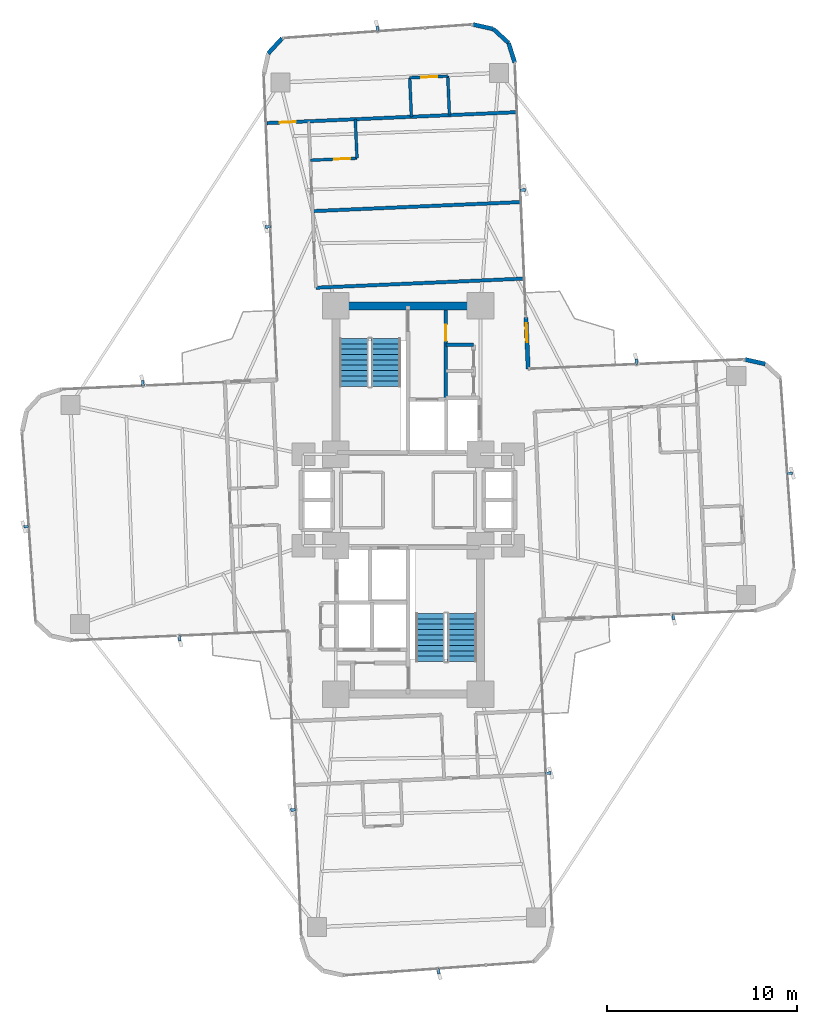
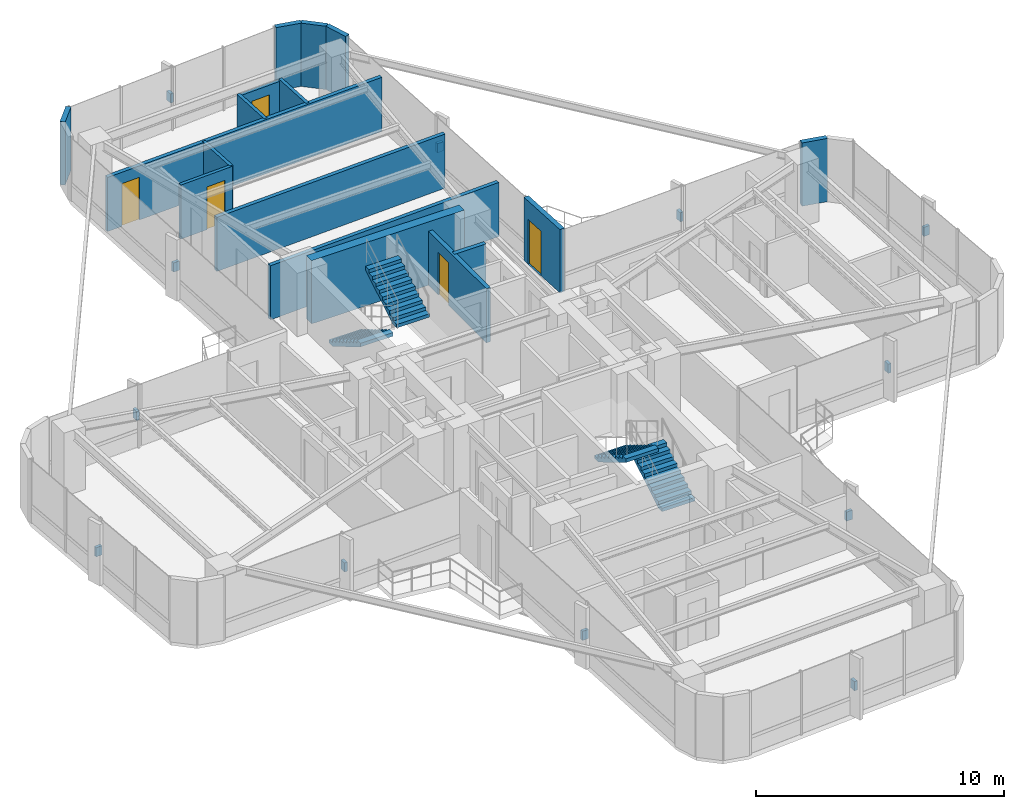
# One storey, part 25 of 26: 17 walls, 12 discrete accessories, 5 doors, 4 stair flights, 5 openings, 2 elements without a shape of their own.
"""IFC4 building model written with IfcOpenShell, lengths in metres."""

import ifcopenshell
import ifcopenshell.guid

model = None  # the IFC model being written
_history = None  # IfcOwnerHistory: only IFC2X3 demands one
_inside = {}  # id of a spatial element -> (the spatial element, [elements in it])
_under = {}  # id of a project, library or spatial element -> (it, [spatial elements below it])
_declared = {}  # id of a project -> (the project, [libraries it declares])
_typed = {}  # id of a type object -> (the type object, [elements of that type])
_made_of = {}  # id of a material, layer set ... -> (it, [elements and type objects made of it])


def new_model(schema):
    """Start an empty IFC model of exactly this schema.

    Asked for "IFC4X3", IfcOpenShell would pick the latest addendum, in which some entities
    have other attributes; the version numbers below select the first issue.
    IFC2X3 requires an IfcOwnerHistory on every rooted entity: one is made here for all.
    """
    global model, _history
    if schema == "IFC4X3":
        model = ifcopenshell.file(schema_version=(4, 3, 0, 0))
    else:
        model = ifcopenshell.file(schema=schema)
    _inside.clear()
    _under.clear()
    _declared.clear()
    _typed.clear()
    _made_of.clear()
    _history = None
    if model.schema == "IFC2X3":
        org = make("IfcOrganization", Name="unknown")
        user = make(
            "IfcPersonAndOrganization",
            ThePerson=make("IfcPerson", FamilyName="unknown"),
            TheOrganization=org,
        )
        app = make(
            "IfcApplication",
            ApplicationDeveloper=org,
            Version="unknown",
            ApplicationFullName="unknown",
            ApplicationIdentifier="unknown",
        )
        _history = make(
            "IfcOwnerHistory",
            OwningUser=user,
            OwningApplication=app,
            ChangeAction="ADDED",
            CreationDate=0,
        )
    return model


def make(cls, **values):
    """One entity of the class cls with the attributes given. An attribute that is None is left unset."""
    return model.create_entity(
        cls, **{name: value for name, value in values.items() if value is not None}
    )


def rooted(cls, **values):
    """An entity with a GlobalId (a new one), such as an element, a storey or a relation."""
    return make(cls, GlobalId=ifcopenshell.guid.new(), OwnerHistory=_history, **values)


def si_unit(unit_type, name, prefix=None):
    """IfcSIUnit, for example si_unit("LENGTHUNIT", "METRE", prefix="MILLI")."""
    return make("IfcSIUnit", UnitType=unit_type, Prefix=prefix, Name=name)


def assignment(units):
    """IfcUnitAssignment: the units of a project."""
    return None if units is None else make("IfcUnitAssignment", Units=units)


def point(xyz):
    """IfcCartesianPoint."""
    return None if xyz is None else make("IfcCartesianPoint", Coordinates=xyz)


def direction(xyz):
    """IfcDirection."""
    return None if xyz is None else make("IfcDirection", DirectionRatios=xyz)


def frame(location, z_axis=None, x_axis=None):
    """IfcAxis2Placement3D, a coordinate frame: its origin and axes. An axis left out is left unset."""
    return make(
        "IfcAxis2Placement3D",
        Location=point(location),
        Axis=direction(z_axis),
        RefDirection=direction(x_axis),
    )


def frame_2d(location, x_axis=None):
    """IfcAxis2Placement2D, a coordinate frame in the plane: its origin and x axis."""
    return make(
        "IfcAxis2Placement2D", Location=point(location), RefDirection=direction(x_axis)
    )


def origin():
    """The frame at (0, 0, 0) with its axes left unset."""
    return frame((0.0, 0.0, 0.0))


def origin_2d():
    """The frame at (0, 0) in the plane with its x axis left unset."""
    return frame_2d((0.0, 0.0))


def place(relative_to, where):
    """IfcLocalPlacement: puts the frame where relative to a parent placement (None: the world)."""
    return make(
        "IfcLocalPlacement", PlacementRelTo=relative_to, RelativePlacement=where
    )


def context(
    kind, dimensions, precision=None, world=None, true_north=None, identifier=None
):
    """IfcGeometricRepresentationContext, for example the 3D "Model" context."""
    return make(
        "IfcGeometricRepresentationContext",
        ContextIdentifier=identifier,
        ContextType=kind,
        CoordinateSpaceDimension=dimensions,
        Precision=precision,
        WorldCoordinateSystem=world,
        TrueNorth=true_north,
    )


def subcontext(parent, identifier, kind, view, scale=None):
    """IfcGeometricRepresentationSubContext, for example "Body" below "Model"."""
    return make(
        "IfcGeometricRepresentationSubContext",
        ContextIdentifier=identifier,
        ContextType=kind,
        ParentContext=parent,
        TargetScale=scale,
        TargetView=view,
    )


def project(units=None, contexts=None):
    """IfcProject with its units and contexts."""
    return rooted(
        "IfcProject",
        Name="project",
        RepresentationContexts=contexts,
        UnitsInContext=assignment(units),
    )


def spatial(cls, under=None, at=None, **own):
    """A site, building, storey or space (cls), placed at a placement, below another one or the project."""
    s = rooted(cls, ObjectPlacement=at, **own)
    if under is not None:
        _under.setdefault(under.id(), (under, []))[1].append(s)
    return s


def polyline(points):
    """IfcPolyline through the points."""
    return make("IfcPolyline", Points=[point(p) for p in points])


def profile(cls, at=None, kind="AREA", **sizes):
    """A parametric profile (cls). Its sizes go by their IFC names, for example OverallWidth=200.0."""
    return make(cls, ProfileType=kind, Position=at, **sizes)


def rectangle(**sizes):
    """IfcRectangleProfileDef."""
    return profile("IfcRectangleProfileDef", **sizes)


def outline(outer, holes=None, kind="AREA"):
    """IfcArbitraryClosedProfileDef: a profile drawn as a closed curve; with holes, ...WithVoids."""
    if holes is None:
        return make("IfcArbitraryClosedProfileDef", ProfileType=kind, OuterCurve=outer)
    return make(
        "IfcArbitraryProfileDefWithVoids",
        ProfileType=kind,
        OuterCurve=outer,
        InnerCurves=holes,
    )


def extrude(swept, where, along, depth):
    """IfcExtrudedAreaSolid: the profile swept, set in the frame where, extruded along a direction by depth."""
    return make(
        "IfcExtrudedAreaSolid",
        SweptArea=swept,
        Position=where,
        ExtrudedDirection=direction(along),
        Depth=depth,
    )


def shape(context_of_items, identifier, shape_type, items):
    """IfcShapeRepresentation: the items that make up one representation, for example the "Body"."""
    return make(
        "IfcShapeRepresentation",
        ContextOfItems=context_of_items,
        RepresentationIdentifier=identifier,
        RepresentationType=shape_type,
        Items=items,
    )


def source(mapping_origin, context_of_items, identifier, shape_type, items):
    """IfcRepresentationMap: a shape defined once, which mapped items show again and again."""
    return make(
        "IfcRepresentationMap",
        MappingOrigin=mapping_origin,
        MappedRepresentation=shape(context_of_items, identifier, shape_type, items),
    )


def transform(
    local_origin,
    x_axis=None,
    y_axis=None,
    z_axis=None,
    scale=None,
    scale2=None,
    scale3=None,
    uniform=True,
):
    """IfcCartesianTransformationOperator3D, or its non-uniform kind. x_axis, y_axis, z_axis: its Axis1, 2, 3."""
    if uniform:
        return make(
            "IfcCartesianTransformationOperator3D",
            Axis1=direction(x_axis),
            Axis2=direction(y_axis),
            LocalOrigin=point(local_origin),
            Scale=scale,
            Axis3=direction(z_axis),
        )
    return make(
        "IfcCartesianTransformationOperator3DnonUniform",
        Axis1=direction(x_axis),
        Axis2=direction(y_axis),
        LocalOrigin=point(local_origin),
        Scale=scale,
        Axis3=direction(z_axis),
        Scale2=scale2,
        Scale3=scale3,
    )


def mapped(mapping_source, mapping_target):
    """IfcMappedItem: shows the shape of a source again, moved by a transform."""
    return make(
        "IfcMappedItem", MappingSource=mapping_source, MappingTarget=mapping_target
    )


def material(Name=None, Category=None):
    """IfcMaterial."""
    return make("IfcMaterial", Name=Name, Category=Category)


def layer(
    of_material, thickness, ventilated=None, Name=None, Category=None, Priority=None
):
    """IfcMaterialLayer: one layer of a wall or slab, of a material (None: an air gap)."""
    return make(
        "IfcMaterialLayer",
        Material=of_material,
        LayerThickness=thickness,
        IsVentilated=ventilated,
        Name=Name,
        Category=Category,
        Priority=Priority,
    )


def layer_set(layers, Name=None):
    """IfcMaterialLayerSet."""
    return make("IfcMaterialLayerSet", MaterialLayers=layers, LayerSetName=Name)


def made_of(thing, what):
    """Note that an element or type object is made of a material, layer set ...; save() writes the relation."""
    if what is not None:
        _made_of.setdefault(what.id(), (what, []))[1].append(thing)
    return thing


def type_object(cls, material=None, **own):
    """A type object (cls), such as IfcWallType, which elements share."""
    return made_of(rooted(cls, **own), material)


def element(
    cls,
    number,
    at=None,
    inside=None,
    cuts=None,
    type_object=None,
    material=None,
    context=None,
    identifier="Body",
    shape_type=None,
    held_by="IfcProductDefinitionShape",
    body=None,
    shapes=None,
    **own,
):
    """One element of the class cls, such as IfcWall. Its Tag is "e" and its number.

    at: its placement. inside: the storey or other place that contains it. cuts: it is an
    opening in that element (IfcRelVoidsElement). A single representation is given by context,
    identifier, shape_type and body (its items); several are given by shapes. held_by: the class
    of the entity that holds the representations. save() writes the other relations.
    """
    e = rooted(cls, Tag="e%d" % number, ObjectPlacement=at, **own)
    if body is not None:
        shapes = [shape(context, identifier, shape_type, body)]
    if shapes is not None:
        e.Representation = make(held_by, Representations=shapes)
    if inside is not None:
        _inside.setdefault(inside.id(), (inside, []))[1].append(e)
    if cuts is not None:
        rooted(
            "IfcRelVoidsElement", RelatingBuildingElement=cuts, RelatedOpeningElement=e
        )
    if type_object is not None:
        _typed.setdefault(type_object.id(), (type_object, []))[1].append(e)
    return made_of(e, material)


def fill(opening, filler):
    """IfcRelFillsElement: the door or window that sits in an opening."""
    return rooted(
        "IfcRelFillsElement",
        RelatingOpeningElement=opening,
        RelatedBuildingElement=filler,
    )


def aggregate(whole, parts):
    """IfcRelAggregates: a whole, such as a stair, and the parts it consists of."""
    return rooted("IfcRelAggregates", RelatingObject=whole, RelatedObjects=parts)


def save(model, path):
    """Write the relations noted so far, then the file.

    IfcRelAggregates (storeys below a building ...), IfcRelContainedInSpatialStructure (elements
    in a storey), IfcRelDefinesByType, IfcRelAssociatesMaterial and IfcRelDeclares: one each for
    every whole, place, type object, material and project.
    """
    for whole, parts in _under.values():
        aggregate(whole, parts)
    for where, things in _inside.values():
        rooted(
            "IfcRelContainedInSpatialStructure",
            RelatedElements=things,
            RelatingStructure=where,
        )
    for kind, things in _typed.values():
        rooted("IfcRelDefinesByType", RelatedObjects=things, RelatingType=kind)
    for what, things in _made_of.values():
        rooted("IfcRelAssociatesMaterial", RelatedObjects=things, RelatingMaterial=what)
    for by, libraries in _declared.values():
        rooted("IfcRelDeclares", RelatingContext=by, RelatedDefinitions=libraries)
    model.write(path)


model = new_model("IFC4")

# Units and contexts
model_context = context("Model", 3, precision=1e-05, world=origin(), true_north=direction((0.0, 1.0)))
body_context = subcontext(model_context, "Body", "Model", "MODEL_VIEW")
ifc_project = project(units=[si_unit("LENGTHUNIT", "METRE"), si_unit("AREAUNIT", "SQUARE_METRE"), si_unit("VOLUMEUNIT", "CUBIC_METRE"), si_unit("PLANEANGLEUNIT", "RADIAN"), si_unit("MASSUNIT", "GRAM", prefix="KILO")], contexts=[model_context])

# Site, building, storey
site_placement = place(None, origin())
site = spatial("IfcSite", under=ifc_project, at=site_placement, CompositionType="ELEMENT")
building_placement = place(site_placement, origin())
building = spatial("IfcBuilding", under=site, at=building_placement, Name="Sahyath Konkavel Grand Hotel", CompositionType="ELEMENT")
storey_placement = place(building_placement, frame((0.0, 0.0, 118.14990234375)))
storey = spatial("IfcBuildingStorey", under=building, at=storey_placement, Name="L32", CompositionType="ELEMENT", Elevation=118.14990234375)

# Walls
ifc_material_1 = material(Name="Concrete C50/60", Category="concrete")
ifc_layer_1 = layer(ifc_material_1, 0.419921875)
ifc_layer_set_1 = layer_set([ifc_layer_1], Name="Concrete C50/60")
wall_type_1 = type_object("IfcWallType", Name="CWALL-420", PredefinedType="SHEAR", material=ifc_layer_set_1)
wall_1_placement = place(storey_placement, frame((-3.550048828125, 10.199951171875, 0.0), z_axis=(0.0, 0.0, 1.0), x_axis=(1.0, 0.0, 0.0)))
element("IfcWall", 1, at=wall_1_placement, inside=storey, type_object=wall_type_1, Name="L32 North Core Shear Wall N", PredefinedType="SHEAR", context=body_context, shape_type="SweptSolid", body=[
    extrude(rectangle(XDim=7.10009765625, YDim=0.419921875, at=frame_2d((3.550048828125, 0.0))), origin(), (0.0, 0.0, 1.0), 3.110107421875),
])
ifc_material_2 = material(Name="Warm Buff Sandstone Insulated Concrete C40/50", Category="masonry")
ifc_layer_2 = layer(ifc_material_2, 0.219970703125)
ifc_layer_set_2 = layer_set([ifc_layer_2], Name="Warm Buff Sandstone Insulated Concrete C40/50")
wall_type_2 = type_object("IfcWallType", Name="WLL-BALC-THRESH", PredefinedType="STANDARD", material=ifc_layer_set_2)
wall_2_placement = place(storey_placement, frame((18.75634765625, 7.1435546875, 0.0), z_axis=(0.0, 0.0, 1.0), x_axis=(-0.976282085775, 0.216502399514, 0.0)))
element("IfcWall", 2, at=wall_2_placement, inside=storey, type_object=wall_type_2, Name="L32 Rounded Corner Sandstone Pier 6", PredefinedType="STANDARD", context=body_context, shape_type="SweptSolid", body=[
    extrude(rectangle(XDim=1.087158203125, YDim=0.219970703125, at=frame_2d((0.54345703125, 0.0))), origin(), (0.0, 0.0, 1.0), 3.110107421875),
])

# Wall, opening, door
wall_3_placement = place(storey_placement, frame((6.305908203125, 6.881591796875, 0.0), z_axis=(0.0, 0.0, 1.0), x_axis=(-0.043672655174, 0.999045894436, 0.0)))
wall_3 = element("IfcWall", 3, at=wall_3_placement, inside=storey, type_object=wall_type_2, Name="L32 Winter-Garden Threshold Wall 8", PredefinedType="STANDARD", context=body_context, shape_type="SweptSolid", body=[
    extrude(rectangle(XDim=2.7001953125, YDim=0.219970703125, at=frame_2d((1.35009765625, 0.0))), origin(), (0.0, 0.0, 1.0), 3.110107421875),
])
opening_1_placement = place(wall_3_placement, frame((1.39990234375, 0.0, 0.0)))
opening_1 = element("IfcOpeningElement", 4, at=opening_1_placement, cuts=wall_3, Name="Opening D-TR1", PredefinedType="OPENING", context=body_context, shape_type="SweptSolid", body=[
    extrude(rectangle(XDim=1.0, YDim=2.199951171875, at=frame_2d((0.5, 1.10009765625))), frame((0.0, 0.1201171875, 0.0), z_axis=(0.0, -1.0, 0.0), x_axis=(1.0, 0.0, 0.0)), (0.0, 0.0, 1.0), 0.239990234375),
])
ifc_material_3 = material(Name="Anodised Bronze Aluminium & Low-E Glazing", Category="aluminium")
door_type_1 = type_object("IfcDoorType", Name="DR-TERRACE-1000", OperationType="NOTDEFINED", PredefinedType="DOOR", material=ifc_material_3)
shared_shape_1 = source(origin(), body_context, "Body", "SweptSolid", [
    extrude(rectangle(XDim=1.0, YDim=0.050048828125, at=origin_2d()), origin(), (0.0, 0.0, 1.0), 2.199951171875),
])
door_1_placement = place(opening_1_placement, frame((0.5, 0.0, 0.0)))
door_1 = element("IfcDoor", 5, at=door_1_placement, inside=storey, type_object=door_type_1, Name="L32 Winter-Garden Terrace Door 8", OperationType="SINGLE_SWING_LEFT", OverallHeight=2.199951171875, OverallWidth=1.0, PredefinedType="DOOR", context=body_context, shape_type="MappedRepresentation", body=[
    mapped(shared_shape_1, transform((0.0, 0.0, 0.0), scale=1.0)),
])
fill(opening_1, door_1)

# Walls
wall_4_placement = place(storey_placement, frame((5.603515625, 22.96630859375, 0.0), z_axis=(0.0, 0.0, 1.0), x_axis=(-0.300755105707, 0.953701403161, 0.0)))
element("IfcWall", 6, at=wall_4_placement, inside=storey, type_object=wall_type_2, Name="L32 Rounded Corner Sandstone Pier 9", PredefinedType="STANDARD", context=body_context, shape_type="SweptSolid", body=[
    extrude(rectangle(XDim=1.0869140625, YDim=0.219970703125, at=frame_2d((0.54345703125, 0.0))), origin(), (0.0, 0.0, 1.0), 3.110107421875),
])
wall_5_placement = place(storey_placement, frame((5.276611328125, 24.0029296875, 0.0), z_axis=(0.0, 0.0, 1.0), x_axis=(-0.737312600672, 0.675551721847, 0.0)))
element("IfcWall", 7, at=wall_5_placement, inside=storey, type_object=wall_type_2, Name="L32 Rounded Corner Sandstone Pier 10", PredefinedType="STANDARD", context=body_context, shape_type="SweptSolid", body=[
    extrude(rectangle(XDim=1.087158203125, YDim=0.219970703125, at=frame_2d((0.54345703125, 0.0))), origin(), (0.0, 0.0, 1.0), 3.110107421875),
])
for number, where, z_axis, x_axis, name in (
    (8, (4.47509765625, 24.7373046875, 0.0), (0.0, 0.0, 1.0), (-0.976271555154, 0.216549880158, 0.0), "L32 Rounded Corner Sandstone Pier 11"),
    (9, (-6.6142578125, 24.253173828125, 0.0), (0.0, 0.0, 1.0), (-0.675663596772, -0.737210081318, 0.0), "L32 Rounded Corner Sandstone Pier 13"),
):
    element("IfcWall", number, at=place(storey_placement, frame(where, z_axis=z_axis, x_axis=x_axis)), inside=storey, type_object=wall_type_2, Name=name, PredefinedType="STANDARD", context=body_context, shape_type="SweptSolid", body=[
        extrude(rectangle(XDim=1.0869140625, YDim=0.219970703125, at=frame_2d((0.54345703125, 0.0))), origin(), (0.0, 0.0, 1.0), 3.110107421875),
    ])

# Wall, opening, door
ifc_material_4 = material(Name="Concrete C40/50", Category="concrete")
ifc_layer_3 = layer(ifc_material_4, 0.199951171875)
ifc_layer_set_3 = layer_set([ifc_layer_3], Name="Concrete C40/50")
wall_type_3 = type_object("IfcWallType", Name="WLL-CORE-200", PredefinedType="SOLIDWALL", material=ifc_layer_set_3)
wall_6_placement = place(storey_placement, frame((1.97998046875, 5.320068359375, 0.0), z_axis=(0.0, 0.0, 1.0), x_axis=(0.0, 1.0, 0.0)))
wall_6 = element("IfcWall", 10, at=wall_6_placement, inside=storey, type_object=wall_type_3, Name="L32 North Firefighting Lobby Wall E", PredefinedType="SOLIDWALL", context=body_context, shape_type="SweptSolid", body=[
    extrude(rectangle(XDim=4.659912109375, YDim=0.199951171875, at=frame_2d((2.330078125, 0.0))), origin(), (0.0, 0.0, 1.0), 2.66015625),
])
opening_2_placement = place(wall_6_placement, frame((3.0400390625, 0.0, 0.0)))
opening_2 = element("IfcOpeningElement", 11, at=opening_2_placement, cuts=wall_6, Name="Opening D-F12D", PredefinedType="OPENING", context=body_context, shape_type="SweptSolid", body=[
    extrude(rectangle(XDim=0.85009765625, YDim=2.10009765625, at=frame_2d((0.425048828125, 1.050048828125))), frame((0.0, 0.10986328125, 0.0), z_axis=(0.0, -1.0, 0.0), x_axis=(1.0, 0.0, 0.0)), (0.0, 0.0, 1.0), 0.219970703125),
])
ifc_material_5 = material(Name="Steel E350 Core Fire Door", Category="steel")
door_type_2 = type_object("IfcDoorType", Name="DR-FD120-850", OperationType="NOTDEFINED", PredefinedType="DOOR", material=ifc_material_5)
shared_shape_2 = source(origin(), body_context, "Body", "SweptSolid", [
    extrude(rectangle(XDim=0.85009765625, YDim=0.050048828125, at=origin_2d()), origin(), (0.0, 0.0, 1.0), 2.10009765625),
])
door_2_placement = place(opening_2_placement, frame((0.425048828125, 0.0, 0.0)))
door_2 = element("IfcDoor", 12, at=door_2_placement, inside=storey, type_object=door_type_2, Name="L32 North Firefighting Lobby Door", OperationType="SINGLE_SWING_RIGHT", OverallHeight=2.10009765625, OverallWidth=0.85009765625, PredefinedType="DOOR", context=body_context, shape_type="MappedRepresentation", body=[
    mapped(shared_shape_2, transform((0.0, 0.0, 0.0), scale=1.0)),
])
fill(opening_2, door_2)

# Walls
wall_7_placement = place(storey_placement, frame((1.97998046875, 8.14990234375, 0.0), z_axis=(0.0, 0.0, 1.0), x_axis=(1.0, 0.0, 0.0)))
element("IfcWall", 13, at=wall_7_placement, inside=storey, type_object=wall_type_3, Name="L32 Partition NC-REC-N", PredefinedType="SOLIDWALL", context=body_context, shape_type="SweptSolid", body=[
    extrude(rectangle(XDim=1.4599609375, YDim=0.199951171875, at=frame_2d((0.72998046875, 0.0))), origin(), (0.0, 0.0, 1.0), 2.66015625),
])
ifc_material_6 = material(Name="Twin-Stud Acoustic Gypsum Plasterboard Partition")
ifc_layer_4 = layer(ifc_material_6, 0.179931640625)
ifc_layer_set_4 = layer_set([ifc_layer_4], Name="Twin-Stud Acoustic Gypsum Plasterboard Partition")
wall_type_4 = type_object("IfcWallType", Name="WLL-DEMISE-180", PredefinedType="PARTITIONING", material=ifc_layer_set_4)
for number, where, z_axis, x_axis, name in (
    (14, (6.048583984375, 11.625, 0.0), (0.0, 0.0, 1.0), (-0.999047644663, -0.043632598969, 0.0), "L32 Partition N-G5I"),
    (15, (-5.0166015625, 15.170654296875, 0.0), (0.0, 0.0, 1.0), (0.999048663393, 0.043609267053, 0.0), "L32 Partition N-ND1-DEM"),
):
    element("IfcWall", number, at=place(storey_placement, frame(where, z_axis=z_axis, x_axis=x_axis)), inside=storey, type_object=wall_type_4, Name=name, PredefinedType="PARTITIONING", context=body_context, shape_type="SweptSolid", body=[
        extrude(rectangle(XDim=10.89990234375, YDim=0.179931640625, at=frame_2d((5.449951171875, 0.0))), origin(), (0.0, 0.0, 1.0), 2.66015625),
    ])

# Wall, opening, door
wall_8_placement = place(storey_placement, frame((5.6669921875, 20.36669921875, 0.0), z_axis=(0.0, 0.0, 1.0), x_axis=(-0.999047806124, -0.043628901879, 0.0)))
wall_8 = element("IfcWall", 16, at=wall_8_placement, inside=storey, type_object=wall_type_4, Name="L32 Partition N-NTIP-END", PredefinedType="PARTITIONING", context=body_context, shape_type="SweptSolid", body=[
    extrude(rectangle(XDim=13.099853515625, YDim=0.179931640625, at=frame_2d((6.5498046875, 0.0))), origin(), (0.0, 0.0, 1.0), 2.66015625),
])
opening_3_placement = place(wall_8_placement, frame((11.574951171875, 0.0, 0.0)))
opening_3 = element("IfcOpeningElement", 17, at=opening_3_placement, cuts=wall_8, Name="Opening D-F06D", PredefinedType="OPENING", context=body_context, shape_type="SweptSolid", body=[
    extrude(rectangle(XDim=0.85009765625, YDim=2.10009765625, at=frame_2d((0.425048828125, 1.050048828125))), frame((0.0, 0.10009765625, 0.0), z_axis=(0.0, -1.0, 0.0), x_axis=(1.0, 0.0, 0.0)), (0.0, 0.0, 1.0), 0.199951171875),
])
ifc_material_7 = material(Name="Fire-Rated Shaft Access Door")
door_type_3 = type_object("IfcDoorType", Name="DR-FD60-850", OperationType="NOTDEFINED", PredefinedType="DOOR", material=ifc_material_7)
door_3_placement = place(opening_3_placement, frame((0.425048828125, 0.0, 0.0)))
door_3 = element("IfcDoor", 18, at=door_3_placement, inside=storey, type_object=door_type_3, Name="L32 Door N-NTIP-ED", OperationType="SINGLE_SWING_RIGHT", OverallHeight=2.10009765625, OverallWidth=0.85009765625, PredefinedType="DOOR", context=body_context, shape_type="MappedRepresentation", body=[
    mapped(shared_shape_2, transform((0.0, 0.0, 0.0), scale=1.0)),
])
fill(opening_3, door_3)

ifc_material_8 = material(Name="Fire-Rated Gypsum Plasterboard Partition")
ifc_layer_5 = layer(ifc_material_8, 0.14990234375)
ifc_layer_set_5 = layer_set([ifc_layer_5], Name="Fire-Rated Gypsum Plasterboard Partition")
wall_type_5 = type_object("IfcWallType", Name="WLL-PART-150", PredefinedType="PARTITIONING", material=ifc_layer_set_5)
wall_9_placement = place(storey_placement, frame((-5.13330078125, 17.843017578125, 0.0), z_axis=(0.0, 0.0, 1.0), x_axis=(0.999047112283, 0.043644787072, 0.0)))
wall_9 = element("IfcWall", 19, at=wall_9_placement, inside=storey, type_object=wall_type_5, Name="L32 Partition N-ND2-BS", PredefinedType="PARTITIONING", context=body_context, shape_type="SweptSolid", body=[
    extrude(rectangle(XDim=2.4501953125, YDim=0.14990234375, at=frame_2d((1.22509765625, 0.0))), origin(), (0.0, 0.0, 1.0), 2.66015625),
])
opening_4_placement = place(wall_9_placement, frame((1.25, 0.0, 0.0)))
opening_4 = element("IfcOpeningElement", 20, at=opening_4_placement, cuts=wall_9, Name="Opening D-BT85", PredefinedType="OPENING", context=body_context, shape_type="SweptSolid", body=[
    extrude(rectangle(XDim=0.85009765625, YDim=2.10009765625, at=frame_2d((0.425048828125, 1.050048828125))), frame((0.0, 0.0849609375, 0.0), z_axis=(0.0, -1.0, 0.0), x_axis=(1.0, 0.0, 0.0)), (0.0, 0.0, 1.0), 0.169921875),
])
ifc_material_9 = material(Name="Moisture-Resistant Teak Bathroom Door")
door_type_4 = type_object("IfcDoorType", Name="DR-BATH-850", OperationType="NOTDEFINED", PredefinedType="DOOR", material=ifc_material_9)
door_4_placement = place(opening_4_placement, frame((0.425048828125, 0.0, 0.0)))
door_4 = element("IfcDoor", 21, at=door_4_placement, inside=storey, type_object=door_type_4, Name="L32 Door N-ND2-BD", OperationType="SINGLE_SWING_LEFT", OverallHeight=2.10009765625, OverallWidth=0.85009765625, PredefinedType="DOOR", context=body_context, shape_type="MappedRepresentation", body=[
    mapped(shared_shape_2, transform((0.0, 0.0, 0.0), scale=1.0)),
])
fill(opening_4, door_4)

# Walls
for number, where, z_axis, x_axis, name in (
    (22, (-2.685546875, 17.949951171875, 0.0), (0.0, 0.0, 1.0), (-0.043587097972, 0.999049630844, 0.0), "L32 Partition N-ND2-BF"),
    (23, (0.17236328125, 20.126708984375, 0.0), (0.0, 0.0, 1.0), (-0.043705961225, 0.999044437927, 0.0), "L32 Partition N-NTIP-BN"),
    (24, (2.17041015625, 20.2138671875, 0.0), (0.0, 0.0, 1.0), (-0.043705961225, 0.999044437927, 0.0), "L32 Partition N-NTIP-BS"),
):
    element("IfcWall", number, at=place(storey_placement, frame(where, z_axis=z_axis, x_axis=x_axis)), inside=storey, type_object=wall_type_5, Name=name, PredefinedType="PARTITIONING", context=body_context, shape_type="SweptSolid", body=[
        extrude(rectangle(XDim=2.050048828125, YDim=0.14990234375, at=frame_2d((1.02490234375, 0.0))), origin(), (0.0, 0.0, 1.0), 2.66015625),
    ])

# Wall, opening, door
wall_10_placement = place(storey_placement, frame((2.080810546875, 22.261962890625, 0.0), z_axis=(0.0, 0.0, 1.0), x_axis=(-0.999049929275, -0.043580257179, 0.0)))
wall_10 = element("IfcWall", 25, at=wall_10_placement, inside=storey, type_object=wall_type_5, Name="L32 Partition N-NTIP-BE", PredefinedType="PARTITIONING", context=body_context, shape_type="SweptSolid", body=[
    extrude(rectangle(XDim=2.0, YDim=0.14990234375, at=frame_2d((1.0, 0.0))), origin(), (0.0, 0.0, 1.0), 2.580078125),
])
opening_5_placement = place(wall_10_placement, frame((0.550048828125, 0.0, 0.0)))
opening_5 = element("IfcOpeningElement", 26, at=opening_5_placement, cuts=wall_10, Name="Opening D-BT85", PredefinedType="OPENING", context=body_context, shape_type="SweptSolid", body=[
    extrude(rectangle(XDim=0.85009765625, YDim=2.10009765625, at=frame_2d((0.425048828125, 1.050048828125))), frame((0.0, 0.0849609375, 0.0), z_axis=(0.0, -1.0, 0.0), x_axis=(1.0, 0.0, 0.0)), (0.0, 0.0, 1.0), 0.169921875),
])
door_5_placement = place(opening_5_placement, frame((0.425048828125, 0.0, 0.0)))
door_5 = element("IfcDoor", 27, at=door_5_placement, inside=storey, type_object=door_type_4, Name="L32 Door N-NTIP-BD", OperationType="SINGLE_SWING_LEFT", OverallHeight=2.10009765625, OverallWidth=0.85009765625, PredefinedType="DOOR", context=body_context, shape_type="MappedRepresentation", body=[
    mapped(shared_shape_2, transform((0.0, 0.0, 0.0), scale=1.0)),
])
fill(opening_5, door_5)

# Stair, stair flights
stair_type = type_object("IfcStairType", Name="STR-ST16-335", PredefinedType="HALF_TURN_STAIR", material=ifc_material_4)
stair_1_placement = place(storey_placement, origin())
stair_1 = element("IfcStair", 28, at=stair_1_placement, inside=storey, type_object=stair_type, Name="L32 North Core Smokeproof Exit Stair ST-1", PredefinedType="HALF_TURN_STAIR")
stair_flight_type = type_object("IfcStairFlightType", Name="STF-ST16-335", PredefinedType="STRAIGHT", material=ifc_material_4)
stair_flight_1_placement = place(storey_placement, frame((-2.840087890625, 8.47998046875, 0.0), z_axis=(0.0, 0.0, 1.0), x_axis=(0.0, -1.0, 0.0)))
stair_flight_1 = element("IfcStairFlight", 29, at=stair_flight_1_placement, type_object=stair_flight_type, Name="ST-1 flight 1", NumberOfRisers=10, NumberOfTreads=9, PredefinedType="STRAIGHT", RiserHeight=0.1675, TreadLength=0.28, context=body_context, shape_type="SweptSolid", body=[
    extrude(outline(polyline([(0.0, 0.0), (0.0, 0.16748046875), (0.280029296875, 0.16748046875), (0.280029296875, 0.3349609375), (0.56005859375, 0.3349609375), (0.56005859375, 0.50244140625), (0.840087890625, 0.50244140625), (0.840087890625, 0.669921875), (1.1201171875, 0.669921875), (1.1201171875, 0.83740234375), (1.39990234375, 0.83740234375), (1.39990234375, 1.0048828125), (1.679931640625, 1.0048828125), (1.679931640625, 1.172607421875), (1.9599609375, 1.172607421875), (1.9599609375, 1.340087890625), (2.239990234375, 1.340087890625), (2.239990234375, 1.507568359375), (2.52001953125, 1.507568359375), (2.52001953125, 1.675048828125), (2.52001953125, 1.332763671875), (0.2919921875, 0.0), (0.0, 0.0)])), frame((0.0, 0.760009765625, 0.0), z_axis=(0.0, -1.0, 0.0), x_axis=(1.0, 0.0, 0.0)), (0.0, 0.0, 1.0), 1.52001953125),
])
stair_flight_2_placement = place(storey_placement, frame((-1.159912109375, 5.9599609375, 1.675048828125), z_axis=(0.0, 0.0, 1.0), x_axis=(0.0, 1.0, 0.0)))
stair_flight_2 = element("IfcStairFlight", 30, at=stair_flight_2_placement, type_object=stair_flight_type, Name="ST-1 flight 2", NumberOfRisers=10, NumberOfTreads=9, PredefinedType="STRAIGHT", RiserHeight=0.1675, TreadLength=0.28, context=body_context, shape_type="SweptSolid", body=[
    extrude(outline(polyline([(0.0, 0.0), (0.0, 0.16748046875), (0.280029296875, 0.16748046875), (0.280029296875, 0.3349609375), (0.56005859375, 0.3349609375), (0.56005859375, 0.50244140625), (0.840087890625, 0.50244140625), (0.840087890625, 0.669921875), (1.1201171875, 0.669921875), (1.1201171875, 0.83740234375), (1.39990234375, 0.83740234375), (1.39990234375, 1.0048828125), (1.679931640625, 1.0048828125), (1.679931640625, 1.172607421875), (1.9599609375, 1.172607421875), (1.9599609375, 1.340087890625), (2.239990234375, 1.340087890625), (2.239990234375, 1.507568359375), (2.52001953125, 1.507568359375), (2.52001953125, 1.675048828125), (2.52001953125, 1.332763671875), (0.2919921875, 0.0), (0.0, 0.0)])), frame((0.0, 0.760009765625, 0.0), z_axis=(0.0, -1.0, 0.0), x_axis=(1.0, 0.0, 0.0)), (0.0, 0.0, 1.0), 1.52001953125),
])
aggregate(stair_1, [stair_flight_1, stair_flight_2])

stair_2_placement = place(storey_placement, origin())
stair_2 = element("IfcStair", 31, at=stair_2_placement, inside=storey, type_object=stair_type, Name="L32 South Core Smokeproof Exit Stair ST-2", PredefinedType="HALF_TURN_STAIR")
stair_flight_3_placement = place(storey_placement, frame((2.840087890625, -8.47998046875, 0.0), z_axis=(0.0, 0.0, 1.0), x_axis=(0.0, 1.0, 0.0)))
stair_flight_3 = element("IfcStairFlight", 32, at=stair_flight_3_placement, type_object=stair_flight_type, Name="ST-2 flight 1", NumberOfRisers=10, NumberOfTreads=9, PredefinedType="STRAIGHT", RiserHeight=0.1675, TreadLength=0.28, context=body_context, shape_type="SweptSolid", body=[
    extrude(outline(polyline([(0.0, 0.0), (0.0, 0.16748046875), (0.280029296875, 0.16748046875), (0.280029296875, 0.3349609375), (0.56005859375, 0.3349609375), (0.56005859375, 0.50244140625), (0.840087890625, 0.50244140625), (0.840087890625, 0.669921875), (1.1201171875, 0.669921875), (1.1201171875, 0.83740234375), (1.39990234375, 0.83740234375), (1.39990234375, 1.0048828125), (1.679931640625, 1.0048828125), (1.679931640625, 1.172607421875), (1.9599609375, 1.172607421875), (1.9599609375, 1.340087890625), (2.239990234375, 1.340087890625), (2.239990234375, 1.507568359375), (2.52001953125, 1.507568359375), (2.52001953125, 1.675048828125), (2.52001953125, 1.332763671875), (0.2919921875, 0.0), (0.0, 0.0)])), frame((0.0, 0.760009765625, 0.0), z_axis=(0.0, -1.0, 0.0), x_axis=(1.0, 0.0, 0.0)), (0.0, 0.0, 1.0), 1.52001953125),
])
stair_flight_4_placement = place(storey_placement, frame((1.159912109375, -5.9599609375, 1.675048828125), z_axis=(0.0, 0.0, 1.0), x_axis=(0.0, -1.0, 0.0)))
stair_flight_4 = element("IfcStairFlight", 33, at=stair_flight_4_placement, type_object=stair_flight_type, Name="ST-2 flight 2", NumberOfRisers=10, NumberOfTreads=9, PredefinedType="STRAIGHT", RiserHeight=0.1675, TreadLength=0.28, context=body_context, shape_type="SweptSolid", body=[
    extrude(outline(polyline([(0.0, 0.0), (0.0, 0.16748046875), (0.280029296875, 0.16748046875), (0.280029296875, 0.3349609375), (0.56005859375, 0.3349609375), (0.56005859375, 0.50244140625), (0.840087890625, 0.50244140625), (0.840087890625, 0.669921875), (1.1201171875, 0.669921875), (1.1201171875, 0.83740234375), (1.39990234375, 0.83740234375), (1.39990234375, 1.0048828125), (1.679931640625, 1.0048828125), (1.679931640625, 1.172607421875), (1.9599609375, 1.172607421875), (1.9599609375, 1.340087890625), (2.239990234375, 1.340087890625), (2.239990234375, 1.507568359375), (2.52001953125, 1.507568359375), (2.52001953125, 1.675048828125), (2.52001953125, 1.332763671875), (0.2919921875, 0.0), (0.0, 0.0)])), frame((0.0, 0.760009765625, 0.0), z_axis=(0.0, -1.0, 0.0), x_axis=(1.0, 0.0, 0.0)), (0.0, 0.0, 1.0), 1.52001953125),
])
aggregate(stair_2, [stair_flight_3, stair_flight_4])

# Discrete accessories
ifc_material_10 = material(Name="Steel E350", Category="steel")
discrete_accessory_type = type_object("IfcDiscreteAccessoryType", Name="ACC-FIN-BRACKET", PredefinedType="BRACKET", material=ifc_material_10)
shared_shape_3 = source(origin(), body_context, "Body", "SweptSolid", [
    extrude(rectangle(XDim=0.280029296875, YDim=0.139892578125, at=origin_2d()), origin(), (0.0, 0.0, 1.0), 0.449951171875),
])
for number, where, z_axis, x_axis, name in (
    (34, (13.9306640625, -6.128173828125, 1.330078125), (0.0, 0.0, 1.0), (0.043601950678, -0.999048982732, 0.0), "L32 Fin Support Bracket F0-1"),
    (35, (20.047119140625, 1.404296875, 1.330078125), (0.0, 0.0, 1.0), (0.997435789037, 0.071567078661, 0.0), "L32 Fin Support Bracket F4-2"),
    (36, (11.99462890625, 7.26025390625, 1.330078125), (0.0, 0.0, 1.0), (-0.043619387365, 0.999048221582, 0.0), "L32 Fin Support Bracket F7-1"),
    (37, (6.025634765625, 16.2783203125, 1.330078125), (0.0, 0.0, 1.0), (0.999048221582, 0.043619387365, 0.0), "L32 Fin Support Bracket F8-1"),
    (38, (-1.609375, 24.74267578125, 1.330078125), (0.0, 0.0, 1.0), (-0.071567078661, 0.997435789037, 0.0), "L32 Fin Support Bracket F12-2"),
    (39, (-7.362548828125, 14.342529296875, 1.330078125), (0.0, 0.0, 1.0), (-0.999048221582, -0.043619387365, 0.0), "L32 Fin Support Bracket F15-1"),
    (40, (-13.9306640625, 6.128173828125, 1.330078125), (0.0, 0.0, 1.0), (-0.043601950678, 0.999048982732, 0.0), "L32 Fin Support Bracket F16-1"),
    (41, (-20.047119140625, -1.404296875, 1.330078125), (0.0, 0.0, 1.0), (-0.997435789037, -0.071567078661, 0.0), "L32 Fin Support Bracket F20-2"),
    (42, (-11.99462890625, -7.26025390625, 1.330078125), (0.0, 0.0, 1.0), (0.043619387365, -0.999048221582, 0.0), "L32 Fin Support Bracket F23-1"),
    (43, (-6.025634765625, -16.2783203125, 1.330078125), (0.0, 0.0, 1.0), (-0.999048221582, -0.043619387365, 0.0), "L32 Fin Support Bracket F24-1"),
    (44, (1.609375, -24.74267578125, 1.330078125), (0.0, 0.0, 1.0), (0.071567078661, -0.997435789037, 0.0), "L32 Fin Support Bracket F28-2"),
    (45, (7.362548828125, -14.342529296875, 1.330078125), (0.0, 0.0, 1.0), (0.999048221582, 0.043619387365, 0.0), "L32 Fin Support Bracket F31-1"),
):
    element("IfcDiscreteAccessory", number, at=place(storey_placement, frame(where, z_axis=z_axis, x_axis=x_axis)), inside=storey, type_object=discrete_accessory_type, Name=name, PredefinedType="BRACKET", context=body_context, shape_type="MappedRepresentation", body=[
        mapped(shared_shape_3, transform((0.0, 0.0, 0.0), scale=1.0)),
    ])

save(model, "model.ifc")
